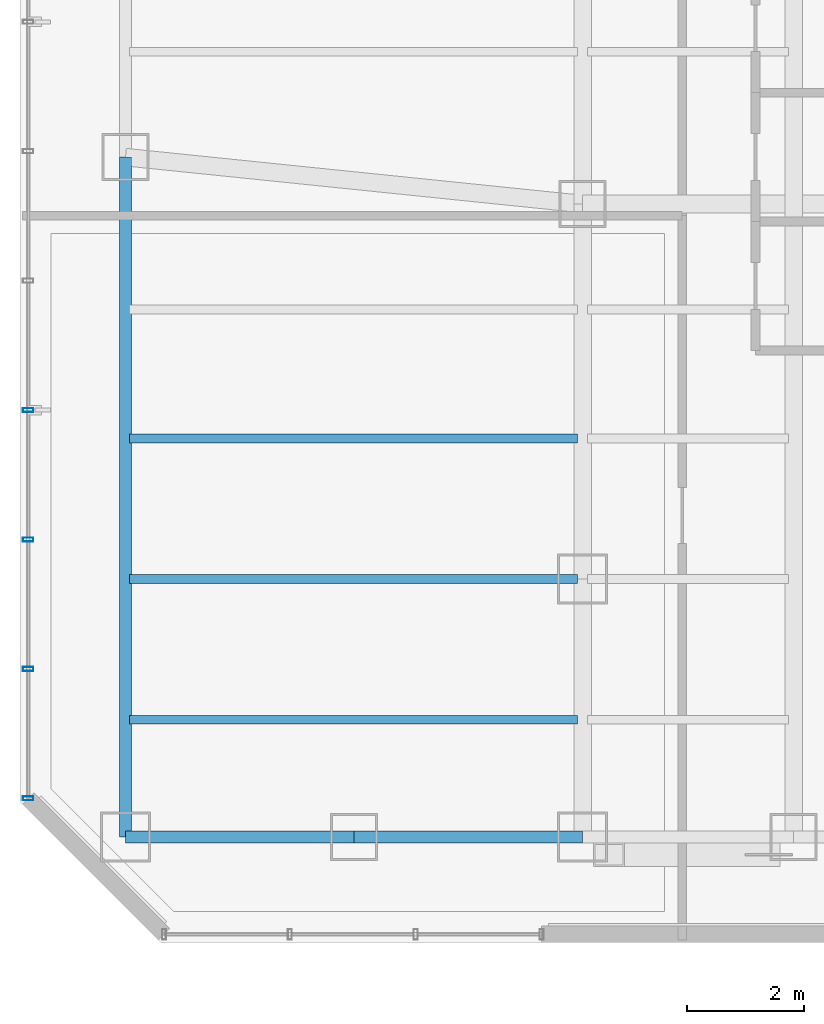
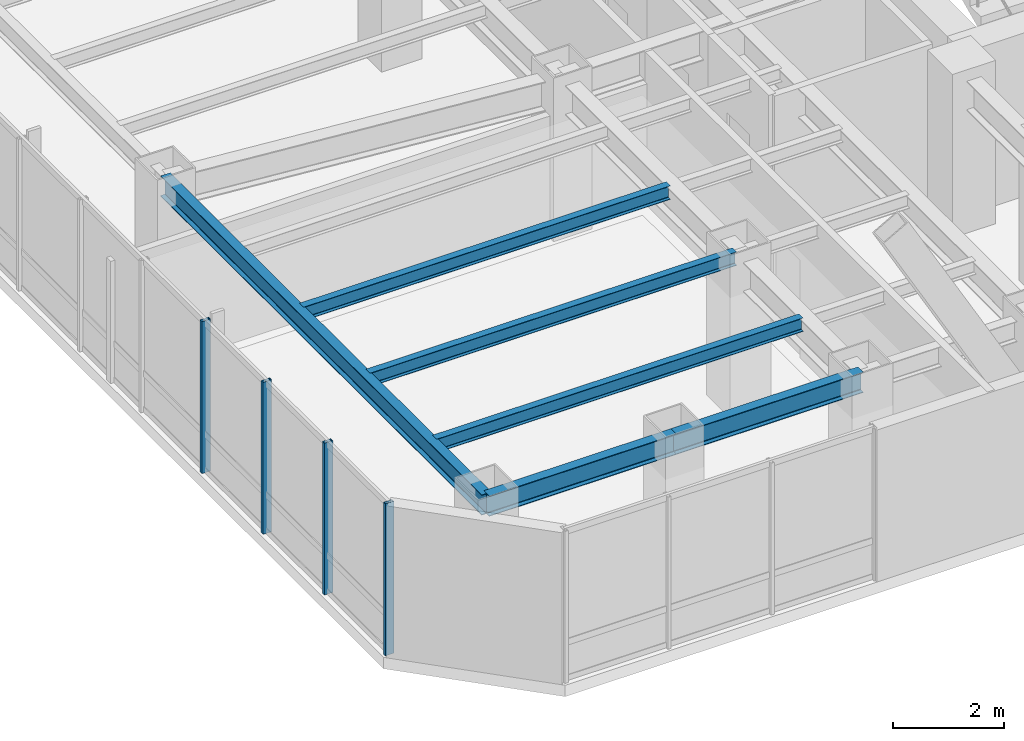
# One storey, part 4 of 28: 6 beams, 4 members, 1 element without a shape of its own.
"""IFC4 building model written with IfcOpenShell, lengths in metres."""

import ifcopenshell
import ifcopenshell.guid

model = None  # the IFC model being written
_history = None  # IfcOwnerHistory: only IFC2X3 demands one
_inside = {}  # id of a spatial element -> (the spatial element, [elements in it])
_under = {}  # id of a project, library or spatial element -> (it, [spatial elements below it])
_declared = {}  # id of a project -> (the project, [libraries it declares])
_typed = {}  # id of a type object -> (the type object, [elements of that type])
_made_of = {}  # id of a material, layer set ... -> (it, [elements and type objects made of it])


def new_model(schema):
    """Start an empty IFC model of exactly this schema.

    Asked for "IFC4X3", IfcOpenShell would pick the latest addendum, in which some entities
    have other attributes; the version numbers below select the first issue.
    IFC2X3 requires an IfcOwnerHistory on every rooted entity: one is made here for all.
    """
    global model, _history
    if schema == "IFC4X3":
        model = ifcopenshell.file(schema_version=(4, 3, 0, 0))
    else:
        model = ifcopenshell.file(schema=schema)
    _inside.clear()
    _under.clear()
    _declared.clear()
    _typed.clear()
    _made_of.clear()
    _history = None
    if model.schema == "IFC2X3":
        org = make("IfcOrganization", Name="unknown")
        user = make(
            "IfcPersonAndOrganization",
            ThePerson=make("IfcPerson", FamilyName="unknown"),
            TheOrganization=org,
        )
        app = make(
            "IfcApplication",
            ApplicationDeveloper=org,
            Version="unknown",
            ApplicationFullName="unknown",
            ApplicationIdentifier="unknown",
        )
        _history = make(
            "IfcOwnerHistory",
            OwningUser=user,
            OwningApplication=app,
            ChangeAction="ADDED",
            CreationDate=0,
        )
    return model


def make(cls, **values):
    """One entity of the class cls with the attributes given. An attribute that is None is left unset."""
    return model.create_entity(
        cls, **{name: value for name, value in values.items() if value is not None}
    )


def rooted(cls, **values):
    """An entity with a GlobalId (a new one), such as an element, a storey or a relation."""
    return make(cls, GlobalId=ifcopenshell.guid.new(), OwnerHistory=_history, **values)


def si_unit(unit_type, name, prefix=None):
    """IfcSIUnit, for example si_unit("LENGTHUNIT", "METRE", prefix="MILLI")."""
    return make("IfcSIUnit", UnitType=unit_type, Prefix=prefix, Name=name)


def assignment(units):
    """IfcUnitAssignment: the units of a project."""
    return None if units is None else make("IfcUnitAssignment", Units=units)


def point(xyz):
    """IfcCartesianPoint."""
    return None if xyz is None else make("IfcCartesianPoint", Coordinates=xyz)


def direction(xyz):
    """IfcDirection."""
    return None if xyz is None else make("IfcDirection", DirectionRatios=xyz)


def frame(location, z_axis=None, x_axis=None):
    """IfcAxis2Placement3D, a coordinate frame: its origin and axes. An axis left out is left unset."""
    return make(
        "IfcAxis2Placement3D",
        Location=point(location),
        Axis=direction(z_axis),
        RefDirection=direction(x_axis),
    )


def frame_2d(location, x_axis=None):
    """IfcAxis2Placement2D, a coordinate frame in the plane: its origin and x axis."""
    return make(
        "IfcAxis2Placement2D", Location=point(location), RefDirection=direction(x_axis)
    )


def origin():
    """The frame at (0, 0, 0) with its axes left unset."""
    return frame((0.0, 0.0, 0.0))


def origin_2d():
    """The frame at (0, 0) in the plane with its x axis left unset."""
    return frame_2d((0.0, 0.0))


def place(relative_to, where):
    """IfcLocalPlacement: puts the frame where relative to a parent placement (None: the world)."""
    return make(
        "IfcLocalPlacement", PlacementRelTo=relative_to, RelativePlacement=where
    )


def context(
    kind, dimensions, precision=None, world=None, true_north=None, identifier=None
):
    """IfcGeometricRepresentationContext, for example the 3D "Model" context."""
    return make(
        "IfcGeometricRepresentationContext",
        ContextIdentifier=identifier,
        ContextType=kind,
        CoordinateSpaceDimension=dimensions,
        Precision=precision,
        WorldCoordinateSystem=world,
        TrueNorth=true_north,
    )


def subcontext(parent, identifier, kind, view, scale=None):
    """IfcGeometricRepresentationSubContext, for example "Body" below "Model"."""
    return make(
        "IfcGeometricRepresentationSubContext",
        ContextIdentifier=identifier,
        ContextType=kind,
        ParentContext=parent,
        TargetScale=scale,
        TargetView=view,
    )


def project(units=None, contexts=None):
    """IfcProject with its units and contexts."""
    return rooted(
        "IfcProject",
        Name="project",
        RepresentationContexts=contexts,
        UnitsInContext=assignment(units),
    )


def spatial(cls, under=None, at=None, **own):
    """A site, building, storey or space (cls), placed at a placement, below another one or the project."""
    s = rooted(cls, ObjectPlacement=at, **own)
    if under is not None:
        _under.setdefault(under.id(), (under, []))[1].append(s)
    return s


def profile(cls, at=None, kind="AREA", **sizes):
    """A parametric profile (cls). Its sizes go by their IFC names, for example OverallWidth=200.0."""
    return make(cls, ProfileType=kind, Position=at, **sizes)


def hollow_rectangle(**sizes):
    """IfcRectangleHollowProfileDef."""
    return profile("IfcRectangleHollowProfileDef", **sizes)


def i_section(**sizes):
    """IfcIShapeProfileDef."""
    return profile("IfcIShapeProfileDef", **sizes)


def extrude(swept, where, along, depth):
    """IfcExtrudedAreaSolid: the profile swept, set in the frame where, extruded along a direction by depth."""
    return make(
        "IfcExtrudedAreaSolid",
        SweptArea=swept,
        Position=where,
        ExtrudedDirection=direction(along),
        Depth=depth,
    )


def shape(context_of_items, identifier, shape_type, items):
    """IfcShapeRepresentation: the items that make up one representation, for example the "Body"."""
    return make(
        "IfcShapeRepresentation",
        ContextOfItems=context_of_items,
        RepresentationIdentifier=identifier,
        RepresentationType=shape_type,
        Items=items,
    )


def material(Name=None, Category=None):
    """IfcMaterial."""
    return make("IfcMaterial", Name=Name, Category=Category)


def layer(
    of_material, thickness, ventilated=None, Name=None, Category=None, Priority=None
):
    """IfcMaterialLayer: one layer of a wall or slab, of a material (None: an air gap)."""
    return make(
        "IfcMaterialLayer",
        Material=of_material,
        LayerThickness=thickness,
        IsVentilated=ventilated,
        Name=Name,
        Category=Category,
        Priority=Priority,
    )


def layer_set(layers, Name=None):
    """IfcMaterialLayerSet."""
    return make("IfcMaterialLayerSet", MaterialLayers=layers, LayerSetName=Name)


def material_profile(
    of_material, cross_section, Name=None, Category=None, Priority=None
):
    """IfcMaterialProfile: a cross section and its material."""
    return make(
        "IfcMaterialProfile",
        Name=Name,
        Material=of_material,
        Profile=cross_section,
        Priority=Priority,
        Category=Category,
    )


def profile_set(profiles, Name=None, composite=None):
    """IfcMaterialProfileSet."""
    return make(
        "IfcMaterialProfileSet",
        Name=Name,
        MaterialProfiles=profiles,
        CompositeProfile=composite,
    )


def made_of(thing, what):
    """Note that an element or type object is made of a material, layer set ...; save() writes the relation."""
    if what is not None:
        _made_of.setdefault(what.id(), (what, []))[1].append(thing)
    return thing


def type_object(cls, material=None, **own):
    """A type object (cls), such as IfcWallType, which elements share."""
    return made_of(rooted(cls, **own), material)


def element(
    cls,
    number,
    at=None,
    inside=None,
    cuts=None,
    type_object=None,
    material=None,
    context=None,
    identifier="Body",
    shape_type=None,
    held_by="IfcProductDefinitionShape",
    body=None,
    shapes=None,
    **own,
):
    """One element of the class cls, such as IfcWall. Its Tag is "e" and its number.

    at: its placement. inside: the storey or other place that contains it. cuts: it is an
    opening in that element (IfcRelVoidsElement). A single representation is given by context,
    identifier, shape_type and body (its items); several are given by shapes. held_by: the class
    of the entity that holds the representations. save() writes the other relations.
    """
    e = rooted(cls, Tag="e%d" % number, ObjectPlacement=at, **own)
    if body is not None:
        shapes = [shape(context, identifier, shape_type, body)]
    if shapes is not None:
        e.Representation = make(held_by, Representations=shapes)
    if inside is not None:
        _inside.setdefault(inside.id(), (inside, []))[1].append(e)
    if cuts is not None:
        rooted(
            "IfcRelVoidsElement", RelatingBuildingElement=cuts, RelatedOpeningElement=e
        )
    if type_object is not None:
        _typed.setdefault(type_object.id(), (type_object, []))[1].append(e)
    return made_of(e, material)


def aggregate(whole, parts):
    """IfcRelAggregates: a whole, such as a stair, and the parts it consists of."""
    return rooted("IfcRelAggregates", RelatingObject=whole, RelatedObjects=parts)


def save(model, path):
    """Write the relations noted so far, then the file.

    IfcRelAggregates (storeys below a building ...), IfcRelContainedInSpatialStructure (elements
    in a storey), IfcRelDefinesByType, IfcRelAssociatesMaterial and IfcRelDeclares: one each for
    every whole, place, type object, material and project.
    """
    for whole, parts in _under.values():
        aggregate(whole, parts)
    for where, things in _inside.values():
        rooted(
            "IfcRelContainedInSpatialStructure",
            RelatedElements=things,
            RelatingStructure=where,
        )
    for kind, things in _typed.values():
        rooted("IfcRelDefinesByType", RelatedObjects=things, RelatingType=kind)
    for what, things in _made_of.values():
        rooted("IfcRelAssociatesMaterial", RelatedObjects=things, RelatingMaterial=what)
    for by, libraries in _declared.values():
        rooted("IfcRelDeclares", RelatingContext=by, RelatedDefinitions=libraries)
    model.write(path)


model = new_model("IFC4")

# Units and contexts
model_context = context("Model", 3, precision=1e-05, world=origin(), true_north=direction((0.0, 1.0)))
body_context = subcontext(model_context, "Body", "Model", "MODEL_VIEW")
ifc_project = project(units=[si_unit("LENGTHUNIT", "METRE"), si_unit("AREAUNIT", "SQUARE_METRE"), si_unit("VOLUMEUNIT", "CUBIC_METRE"), si_unit("PLANEANGLEUNIT", "RADIAN"), si_unit("MASSUNIT", "GRAM", prefix="KILO")], contexts=[model_context])

# Site, building, storey
site_placement = place(None, origin())
site = spatial("IfcSite", under=ifc_project, at=site_placement, CompositionType="ELEMENT")
building_placement = place(site_placement, origin())
building = spatial("IfcBuilding", under=site, at=building_placement, Name="Hatsunagi Terrace Concourse", CompositionType="ELEMENT")
storey_placement = place(building_placement, frame((0.0, 0.0, 138.449951171875)))
storey = spatial("IfcBuildingStorey", under=building, at=storey_placement, Name="L36", CompositionType="ELEMENT", Elevation=138.449951171875)

# Curtain wall, members
ifc_material_1 = material(Name="Anodised Aluminium Alloy 6063-T5", Category="aluminium")
ifc_layer = layer(ifc_material_1, 0.199951171875)
ifc_layer_set = layer_set([ifc_layer], Name="OfficeZone1_CW03")
curtain_wall_type = type_object("IfcCurtainWallType", Name="OfficeZone1_CW03", PredefinedType="NOTDEFINED", material=ifc_layer_set)
curtain_wall_placement = place(storey_placement, origin())
curtain_wall = element("IfcCurtainWall", 1, at=curtain_wall_placement, inside=storey, type_object=curtain_wall_type, Name="Unitised Curtain Wall CW-03 CW-L36-09", PredefinedType="NOTDEFINED")
ifc_material_2 = material(Name="Anodised Aluminium Alloy 6063-T5", Category="aluminium")
ifc_material_profile_1 = material_profile(ifc_material_2, hollow_rectangle(XDim=0.070068359375, YDim=0.179931640625, WallThickness=0.00390625, at=origin_2d()), Name="ALU-MUL-180x70x4")
ifc_profile_set_1 = profile_set([ifc_material_profile_1], Name="Anodised Aluminium Alloy 6063-T5")
member_type = type_object("IfcMemberType", Name="CurtainWallMullion_180x70", PredefinedType="MULLION", material=ifc_profile_set_1)
member_1_placement = place(storey_placement, frame((9.739990234375, 25.85791015625, 0.0), z_axis=(0.0, 0.0, 1.0), x_axis=(0.0, 1.0, 0.0)))
member_1 = element("IfcMember", 2, at=member_1_placement, type_object=member_type, Name="Curtain Wall Mullion MUL-02", PredefinedType="MULLION", context=body_context, shape_type="SweptSolid", body=[
    extrude(hollow_rectangle(XDim=0.070068359375, YDim=0.179931640625, WallThickness=0.00390625, at=origin_2d()), origin(), (0.0, 0.0, 1.0), 3.35009765625),
])
member_2_placement = place(storey_placement, frame((9.739990234375, 28.06591796875, 0.0), z_axis=(0.0, 0.0, 1.0), x_axis=(0.0, 1.0, 0.0)))
member_2 = element("IfcMember", 3, at=member_2_placement, type_object=member_type, Name="Curtain Wall Mullion MUL-02", PredefinedType="MULLION", context=body_context, shape_type="SweptSolid", body=[
    extrude(hollow_rectangle(XDim=0.070068359375, YDim=0.179931640625, WallThickness=0.00390625, at=origin_2d()), origin(), (0.0, 0.0, 1.0), 3.35009765625),
])
member_3_placement = place(storey_placement, frame((9.739990234375, 30.27490234375, 0.0), z_axis=(0.0, 0.0, 1.0), x_axis=(0.0, 1.0, 0.0)))
member_3 = element("IfcMember", 4, at=member_3_placement, type_object=member_type, Name="Curtain Wall Mullion MUL-02", PredefinedType="MULLION", context=body_context, shape_type="SweptSolid", body=[
    extrude(hollow_rectangle(XDim=0.070068359375, YDim=0.179931640625, WallThickness=0.00390625, at=origin_2d()), origin(), (0.0, 0.0, 1.0), 3.35009765625),
])
member_4_placement = place(storey_placement, frame((9.739990234375, 32.48291015625, 0.0), z_axis=(0.0, 0.0, 1.0), x_axis=(0.0, 1.0, 0.0)))
member_4 = element("IfcMember", 5, at=member_4_placement, type_object=member_type, Name="Curtain Wall Mullion MUL-02", PredefinedType="MULLION", context=body_context, shape_type="SweptSolid", body=[
    extrude(hollow_rectangle(XDim=0.070068359375, YDim=0.179931640625, WallThickness=0.00390625, at=origin_2d()), origin(), (0.0, 0.0, 1.0), 3.35009765625),
])
aggregate(curtain_wall, [member_1, member_2, member_3, member_4])

# Beams
ifc_material_3 = material(Name="Steel SN490B", Category="steel")
ifc_material_profile_2 = material_profile(ifc_material_3, i_section(OverallWidth=0.14990234375, OverallDepth=0.300048828125, WebThickness=0.006591796875, FlangeThickness=0.009033203125, FilletRadius=0.010986328125, at=origin_2d()), Name="H-300x150x6.5x9")
ifc_profile_set_2 = profile_set([ifc_material_profile_2], Name="Steel SN490B")
beam_type_1 = type_object("IfcBeamType", Name="OfficeJoist_H_300x150", PredefinedType="JOIST", material=ifc_profile_set_2)
for number, where, z_axis, x_axis, name in (
    (6, (11.465087890625, 27.199951171875, 3.199951171875), (1.0, 0.0, 0.0), (0.0, 1.0, 0.0), "Beam J-03 J-L36-W-11-272"),
    (7, (11.465087890625, 29.60009765625, 3.199951171875), (1.0, 0.0, 0.0), (0.0, 1.0, 0.0), "Beam J-03 J-L36-W-11-296"),
    (8, (11.465087890625, 32.0, 3.199951171875), (1.0, 0.0, 0.0), (0.0, 1.0, 0.0), "Beam J-03 J-L36-W-11-320"),
):
    element("IfcBeam", number, at=place(storey_placement, frame(where, z_axis=z_axis, x_axis=x_axis)), inside=storey, type_object=beam_type_1, Name=name, PredefinedType="JOIST", context=body_context, shape_type="SweptSolid", body=[
        extrude(i_section(OverallWidth=0.14990234375, OverallDepth=0.300048828125, WebThickness=0.006591796875, FlangeThickness=0.009033203125, FilletRadius=0.010986328125, at=origin_2d()), origin(), (0.0, 0.0, 1.0), 7.64990234375),
    ])
ifc_material_4 = material(Name="Steel SN490B", Category="steel")
ifc_material_profile_3 = material_profile(ifc_material_4, i_section(OverallWidth=0.199951171875, OverallDepth=0.449951171875, WebThickness=0.009033203125, FlangeThickness=0.013916015625, FilletRadius=0.01611328125, at=origin_2d()), Name="H-450x200x9x14")
ifc_profile_set_3 = profile_set([ifc_material_profile_3], Name="Steel SN490B")
beam_type_2 = type_object("IfcBeamType", Name="PerimeterSpandrel_H_450x200", PredefinedType="SPANDREL", material=ifc_profile_set_3)
beam_1_placement = place(storey_placement, frame((11.39990234375, 25.199951171875, 3.125), z_axis=(1.0, 0.0, 0.0), x_axis=(0.0, 1.0, 0.0)))
element("IfcBeam", 9, at=beam_1_placement, inside=storey, type_object=beam_type_2, Name="Beam SP-02 BM-L36-WS-11", PredefinedType="SPANDREL", context=body_context, shape_type="SweptSolid", body=[
    extrude(i_section(OverallWidth=0.199951171875, OverallDepth=0.449951171875, WebThickness=0.009033203125, FlangeThickness=0.013916015625, FilletRadius=0.01611328125, at=origin_2d()), origin(), (0.0, 0.0, 1.0), 3.900146484375),
])
beam_2_placement = place(storey_placement, frame((15.300048828125, 25.199951171875, 3.125), z_axis=(1.0, 0.0, 0.0), x_axis=(0.0, 1.0, 0.0)))
element("IfcBeam", 10, at=beam_2_placement, inside=storey, type_object=beam_type_2, Name="Beam SP-02 BM-L36-WS-15", PredefinedType="SPANDREL", context=body_context, shape_type="SweptSolid", body=[
    extrude(i_section(OverallWidth=0.199951171875, OverallDepth=0.449951171875, WebThickness=0.009033203125, FlangeThickness=0.013916015625, FilletRadius=0.01611328125, at=origin_2d()), origin(), (0.0, 0.0, 1.0), 3.89990234375),
])
beam_3_placement = place(storey_placement, frame((11.39990234375, 25.199951171875, 3.125), z_axis=(0.0, 1.0, 0.0), x_axis=(-1.0, 0.0, 0.0)))
element("IfcBeam", 11, at=beam_3_placement, inside=storey, type_object=beam_type_2, Name="Beam SP-02 BM-L36-NS-11-25", PredefinedType="SPANDREL", context=body_context, shape_type="SweptSolid", body=[
    extrude(i_section(OverallWidth=0.199951171875, OverallDepth=0.449951171875, WebThickness=0.009033203125, FlangeThickness=0.013916015625, FilletRadius=0.01611328125, at=origin_2d()), origin(), (0.0, 0.0, 1.0), 11.60009765625),
])

save(model, "model.ifc")
